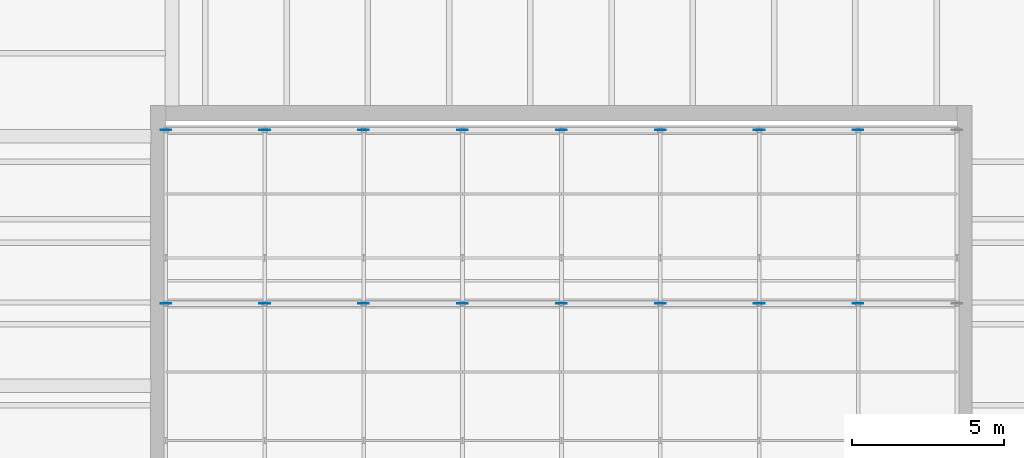
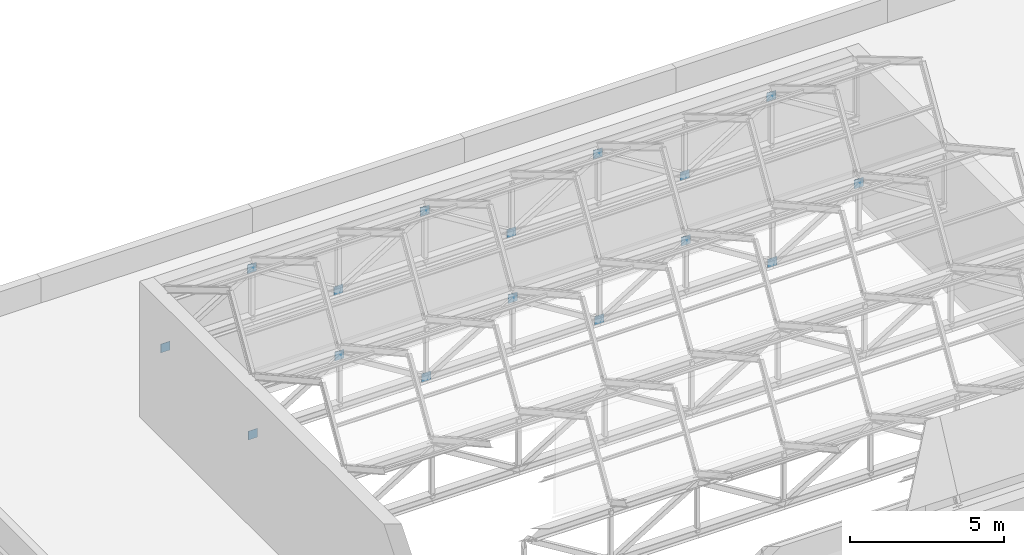
# One storey, part 100 of 132: 16 discrete accessories.
"""IFC4 building model written with IfcOpenShell, lengths in metres."""

from ifc_helpers import new_model, si_unit, direction, frame, origin, origin_2d, place, context, subcontext, project, spatial, rectangle, extrude, material, layer, layer_set, type_object, element, save


model = new_model("IFC4")

# Units and contexts
model_context = context("Model", 3, precision=1e-05, world=origin(), true_north=direction((0.0, 1.0)))
body_context = subcontext(model_context, "Body", "Model", "MODEL_VIEW")
ifc_project = project(units=[si_unit("LENGTHUNIT", "METRE"), si_unit("AREAUNIT", "SQUARE_METRE"), si_unit("VOLUMEUNIT", "CUBIC_METRE"), si_unit("PLANEANGLEUNIT", "RADIAN"), si_unit("MASSUNIT", "GRAM", prefix="KILO")], contexts=[model_context])

# Site, building, storey
site_placement = place(None, origin())
site = spatial("IfcSite", under=ifc_project, at=site_placement, CompositionType="ELEMENT")
building_placement = place(site_placement, origin())
building = spatial("IfcBuilding", under=site, at=building_placement, Name="Lunette Opera House", CompositionType="ELEMENT")
storey_placement = place(building_placement, frame((0.0, 0.0, 17.0)))
storey = spatial("IfcBuildingStorey", under=building, at=storey_placement, Name="L03", CompositionType="ELEMENT", Elevation=17.0)

# Discrete accessories
ifc_material = material(Name="Steel S355", Category="steel")
ifc_layer = layer(ifc_material, 0.011962890625)
ifc_layer_set = layer_set([ifc_layer], Name="Steel S355")
discrete_accessory_type = type_object("IfcDiscreteAccessoryType", Name="BRACE GUSSET PLATE 12", PredefinedType="USERDEFINED", material=ifc_layer_set)
for number, where, z_axis, x_axis, name in (
    (1, (144.0, 122.0, 3.030029296875), (0.0, 0.0, 1.0), (1.0, 0.0, 0.0), "Gusset plate 294"),
    (2, (147.25, 122.0, 5.030029296875), (0.0, 0.0, 1.0), (1.0, 0.0, 0.0), "Gusset plate 295"),
    (3, (150.5, 122.0, 3.030029296875), (0.0, 0.0, 1.0), (1.0, 0.0, 0.0), "Gusset plate 296"),
    (4, (153.75, 122.0, 5.030029296875), (0.0, 0.0, 1.0), (1.0, 0.0, 0.0), "Gusset plate 297"),
    (5, (157.0, 122.0, 3.030029296875), (0.0, 0.0, 1.0), (1.0, 0.0, 0.0), "Gusset plate 298"),
    (6, (160.25, 122.0, 5.030029296875), (0.0, 0.0, 1.0), (1.0, 0.0, 0.0), "Gusset plate 299"),
    (7, (163.5, 122.0, 3.030029296875), (0.0, 0.0, 1.0), (1.0, 0.0, 0.0), "Gusset plate 300"),
    (8, (166.75, 122.0, 5.030029296875), (0.0, 0.0, 1.0), (1.0, 0.0, 0.0), "Gusset plate 301"),
    (9, (144.0, 127.699951171875, 3.030029296875), (0.0, 0.0, 1.0), (1.0, 0.0, 0.0), "Gusset plate 303"),
    (10, (147.25, 127.699951171875, 5.030029296875), (0.0, 0.0, 1.0), (1.0, 0.0, 0.0), "Gusset plate 304"),
    (11, (150.5, 127.699951171875, 3.030029296875), (0.0, 0.0, 1.0), (1.0, 0.0, 0.0), "Gusset plate 305"),
    (12, (153.75, 127.699951171875, 5.030029296875), (0.0, 0.0, 1.0), (1.0, 0.0, 0.0), "Gusset plate 306"),
    (13, (157.0, 127.699951171875, 3.030029296875), (0.0, 0.0, 1.0), (1.0, 0.0, 0.0), "Gusset plate 307"),
    (14, (160.25, 127.699951171875, 5.030029296875), (0.0, 0.0, 1.0), (1.0, 0.0, 0.0), "Gusset plate 308"),
    (15, (163.5, 127.699951171875, 3.030029296875), (0.0, 0.0, 1.0), (1.0, 0.0, 0.0), "Gusset plate 309"),
    (16, (166.75, 127.699951171875, 5.030029296875), (0.0, 0.0, 1.0), (1.0, 0.0, 0.0), "Gusset plate 310"),
):
    element("IfcDiscreteAccessory", number, at=place(storey_placement, frame(where, z_axis=z_axis, x_axis=x_axis)), inside=storey, type_object=discrete_accessory_type, Name=name, ObjectType="GUSSET PLATE", PredefinedType="USERDEFINED", context=body_context, shape_type="SweptSolid", body=[
        extrude(rectangle(XDim=0.35009765625, YDim=0.011962890625, at=origin_2d()), origin(), (0.0, 0.0, 1.0), 0.35009765625),
    ])

save(model, "model.ifc")
